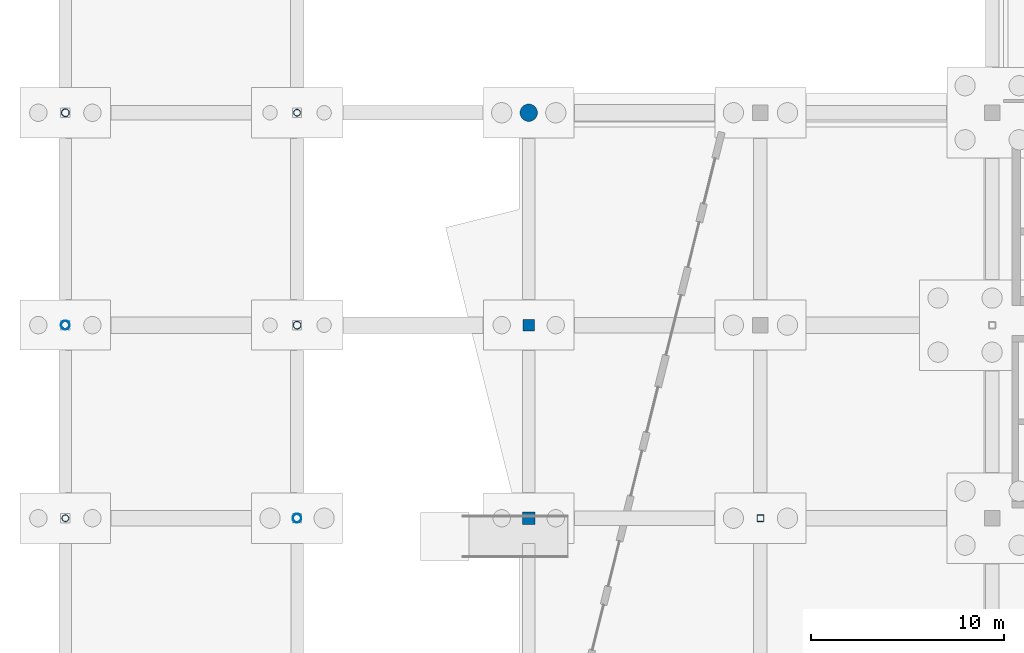
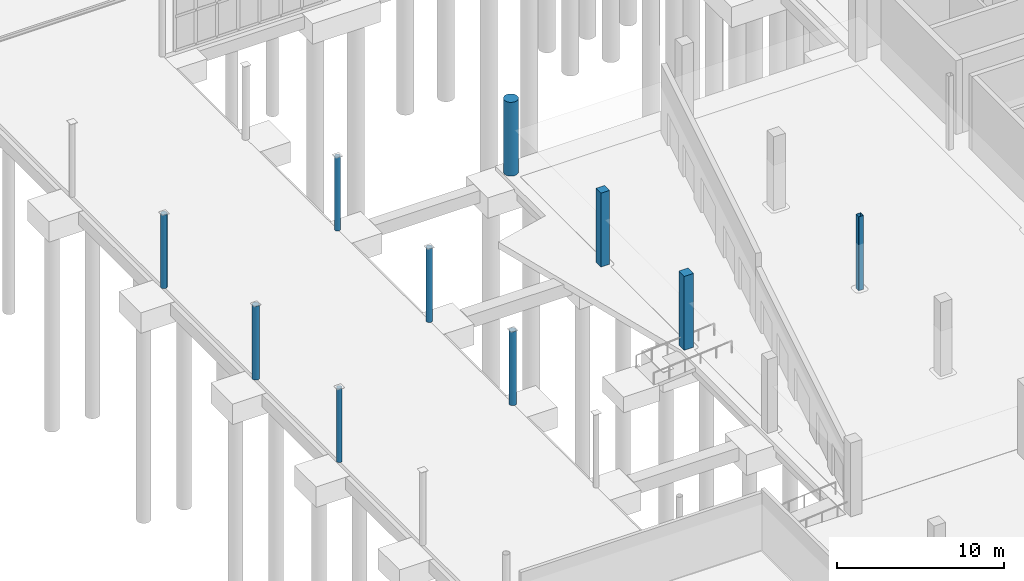
# One storey, part 16 of 70: 10 columns.
"""IFC4 building model written with IfcOpenShell, lengths in metres."""

from ifc_helpers import new_model, si_unit, direction, frame, origin, origin_2d, place, context, subcontext, project, spatial, rectangle, hollow_rectangle, circle, hollow_circle, extrude, material, material_profile, profile_set, type_object, element, save


model = new_model("IFC4")

# Units and contexts
model_context = context("Model", 3, precision=1e-05, world=origin(), true_north=direction((0.0, 1.0)))
body_context = subcontext(model_context, "Body", "Model", "MODEL_VIEW")
ifc_project = project(units=[si_unit("LENGTHUNIT", "METRE"), si_unit("AREAUNIT", "SQUARE_METRE"), si_unit("VOLUMEUNIT", "CUBIC_METRE"), si_unit("PLANEANGLEUNIT", "RADIAN"), si_unit("MASSUNIT", "GRAM", prefix="KILO")], contexts=[model_context])

# Site, building, storey
site_placement = place(None, origin())
site = spatial("IfcSite", under=ifc_project, at=site_placement, CompositionType="ELEMENT")
building_placement = place(site_placement, origin())
building = spatial("IfcBuilding", under=site, at=building_placement, Name="Brinegate Civic Arena", CompositionType="ELEMENT")
storey_placement = place(building_placement, origin())
storey = spatial("IfcBuildingStorey", under=building, at=storey_placement, Name="L00", CompositionType="ELEMENT", Elevation=0.0)

# Columns
ifc_material_1 = material(Name="Concrete C50/60", Category="concrete")
ifc_material_profile_1 = material_profile(ifc_material_1, rectangle(XDim=0.64990234375, YDim=0.64990234375, at=origin_2d()), Name="RC650X650")
ifc_profile_set_1 = profile_set([ifc_material_profile_1], Name="Concrete C50/60")
column_type_1 = type_object("IfcColumnType", Name="COL-CC10-650", PredefinedType="COLUMN", material=ifc_profile_set_1)
column_1_placement = place(storey_placement, frame((24.0, 72.0, 0.0), z_axis=(0.0, 0.0, 1.0), x_axis=(1.0, 0.0, 0.0)))
element("IfcColumn", 1, at=column_1_placement, inside=storey, type_object=column_type_1, Name="Column COL-L00-3-H", PredefinedType="COLUMN", context=body_context, shape_type="SweptSolid", body=[
    extrude(rectangle(XDim=0.64990234375, YDim=0.64990234375, at=origin_2d()), origin(), (0.0, 0.0, 1.0), 5.39990234375),
])
ifc_material_profile_2 = material_profile(ifc_material_1, rectangle(XDim=0.60009765625, YDim=0.60009765625, at=origin_2d()), Name="RC600X600")
ifc_profile_set_2 = profile_set([ifc_material_profile_2], Name="Concrete C50/60")
column_type_2 = type_object("IfcColumnType", Name="COL-CC11-600", PredefinedType="COLUMN", material=ifc_profile_set_2)
column_2_placement = place(storey_placement, frame((24.0, 82.0, 0.0), z_axis=(0.0, 0.0, 1.0), x_axis=(1.0, 0.0, 0.0)))
element("IfcColumn", 2, at=column_2_placement, inside=storey, type_object=column_type_2, Name="Column COL-L00-3-J", PredefinedType="COLUMN", context=body_context, shape_type="SweptSolid", body=[
    extrude(rectangle(XDim=0.60009765625, YDim=0.60009765625, at=origin_2d()), origin(), (0.0, 0.0, 1.0), 5.39990234375),
])
ifc_material_profile_3 = material_profile(ifc_material_1, circle(Radius=0.449951171875, at=origin_2d()), Name="RCD900")
ifc_profile_set_3 = profile_set([ifc_material_profile_3], Name="Concrete C50/60")
column_type_3 = type_object("IfcColumnType", Name="COL-CC12-D900", PredefinedType="COLUMN", material=ifc_profile_set_3)
column_3_placement = place(storey_placement, frame((24.0, 93.0, 0.0), z_axis=(0.0, 0.0, 1.0), x_axis=(1.0, 0.0, 0.0)))
element("IfcColumn", 3, at=column_3_placement, inside=storey, type_object=column_type_3, Name="Column COL-L00-3-K", PredefinedType="COLUMN", context=body_context, shape_type="SweptSolid", body=[
    extrude(circle(Radius=0.449951171875, at=origin_2d()), origin(), (0.0, 0.0, 1.0), 5.39990234375),
])
ifc_material_2 = material(Name="Steel S355", Category="steel")
ifc_material_profile_4 = material_profile(ifc_material_2, hollow_circle(Radius=0.228515625, WallThickness=0.01611328125, at=origin_2d()), Name="CHS457X16")
ifc_profile_set_4 = profile_set([ifc_material_profile_4], Name="Steel S355")
column_type_4 = type_object("IfcColumnType", Name="COL-CP01-CHS457", PredefinedType="PILASTER", material=ifc_profile_set_4)
for number, where, z_axis, x_axis, name in (
    (4, (0.0, 82.0, 0.0), (0.0, 0.0, 1.0), (1.0, 0.0, 0.0), "Column COL-L00-1-J"),
    (5, (12.0, 72.0, 0.0), (0.0, 0.0, 1.0), (1.0, 0.0, 0.0), "Column COL-L00-2-H"),
):
    element("IfcColumn", number, at=place(storey_placement, frame(where, z_axis=z_axis, x_axis=x_axis)), inside=storey, type_object=column_type_4, Name=name, PredefinedType="PILASTER", context=body_context, shape_type="SweptSolid", body=[
        extrude(hollow_circle(Radius=0.228515625, WallThickness=0.01611328125, at=origin_2d()), origin(), (0.0, 0.0, 1.0), 5.39990234375),
    ])
ifc_material_profile_5 = material_profile(ifc_material_2, hollow_circle(Radius=0.202880859375, WallThickness=0.01611328125, at=origin_2d()), Name="CHS406X16")
ifc_profile_set_5 = profile_set([ifc_material_profile_5], Name="Steel S355")
column_type_5 = type_object("IfcColumnType", Name="COL-CP02-CHS406", PredefinedType="PILASTER", material=ifc_profile_set_5)
for number, where, z_axis, x_axis, name in (
    (6, (0.0, 93.0, 0.0), (0.0, 0.0, 1.0), (1.0, 0.0, 0.0), "Column COL-L00-1-K"),
    (7, (12.0, 82.0, 0.0), (0.0, 0.0, 1.0), (1.0, 0.0, 0.0), "Column COL-L00-2-J"),
):
    element("IfcColumn", number, at=place(storey_placement, frame(where, z_axis=z_axis, x_axis=x_axis)), inside=storey, type_object=column_type_5, Name=name, PredefinedType="PILASTER", context=body_context, shape_type="SweptSolid", body=[
        extrude(hollow_circle(Radius=0.202880859375, WallThickness=0.01611328125, at=origin_2d()), origin(), (0.0, 0.0, 1.0), 5.39990234375),
    ])
ifc_material_profile_6 = material_profile(ifc_material_2, hollow_circle(Radius=0.177978515625, WallThickness=0.013916015625, at=origin_2d()), Name="CHS356X14")
ifc_profile_set_6 = profile_set([ifc_material_profile_6], Name="Steel S355")
column_type_6 = type_object("IfcColumnType", Name="COL-CP03-CHS356", PredefinedType="PILASTER", material=ifc_profile_set_6)
for number, where, z_axis, x_axis, name in (
    (8, (0.0, 72.0, 0.0), (0.0, 0.0, 1.0), (1.0, 0.0, 0.0), "Column COL-L00-1-H"),
    (9, (12.0, 93.0, 0.0), (0.0, 0.0, 1.0), (1.0, 0.0, 0.0), "Column COL-L00-2-K"),
):
    element("IfcColumn", number, at=place(storey_placement, frame(where, z_axis=z_axis, x_axis=x_axis)), inside=storey, type_object=column_type_6, Name=name, PredefinedType="PILASTER", context=body_context, shape_type="SweptSolid", body=[
        extrude(hollow_circle(Radius=0.177978515625, WallThickness=0.013916015625, at=origin_2d()), origin(), (0.0, 0.0, 1.0), 5.39990234375),
    ])
ifc_material_profile_7 = material_profile(ifc_material_2, hollow_rectangle(XDim=0.35009765625, YDim=0.35009765625, WallThickness=0.01611328125, InnerFilletRadius=0.01611328125, OuterFilletRadius=0.031982421875, at=origin_2d()), Name="SHS350X16")
ifc_profile_set_7 = profile_set([ifc_material_profile_7], Name="Steel S355")
column_type_7 = type_object("IfcColumnType", Name="COL-SC04-SHS350", PredefinedType="COLUMN", material=ifc_profile_set_7)
column_4_placement = place(storey_placement, frame((36.0, 72.0, 0.0), z_axis=(0.0, 0.0, 1.0), x_axis=(1.0, 0.0, 0.0)))
element("IfcColumn", 10, at=column_4_placement, inside=storey, type_object=column_type_7, Name="Column COL-L00-4-H", PredefinedType="COLUMN", context=body_context, shape_type="SweptSolid", body=[
    extrude(hollow_rectangle(XDim=0.35009765625, YDim=0.35009765625, WallThickness=0.01611328125, InnerFilletRadius=0.01611328125, OuterFilletRadius=0.031982421875, at=origin_2d()), origin(), (0.0, 0.0, 1.0), 5.39990234375),
])

save(model, "model.ifc")
